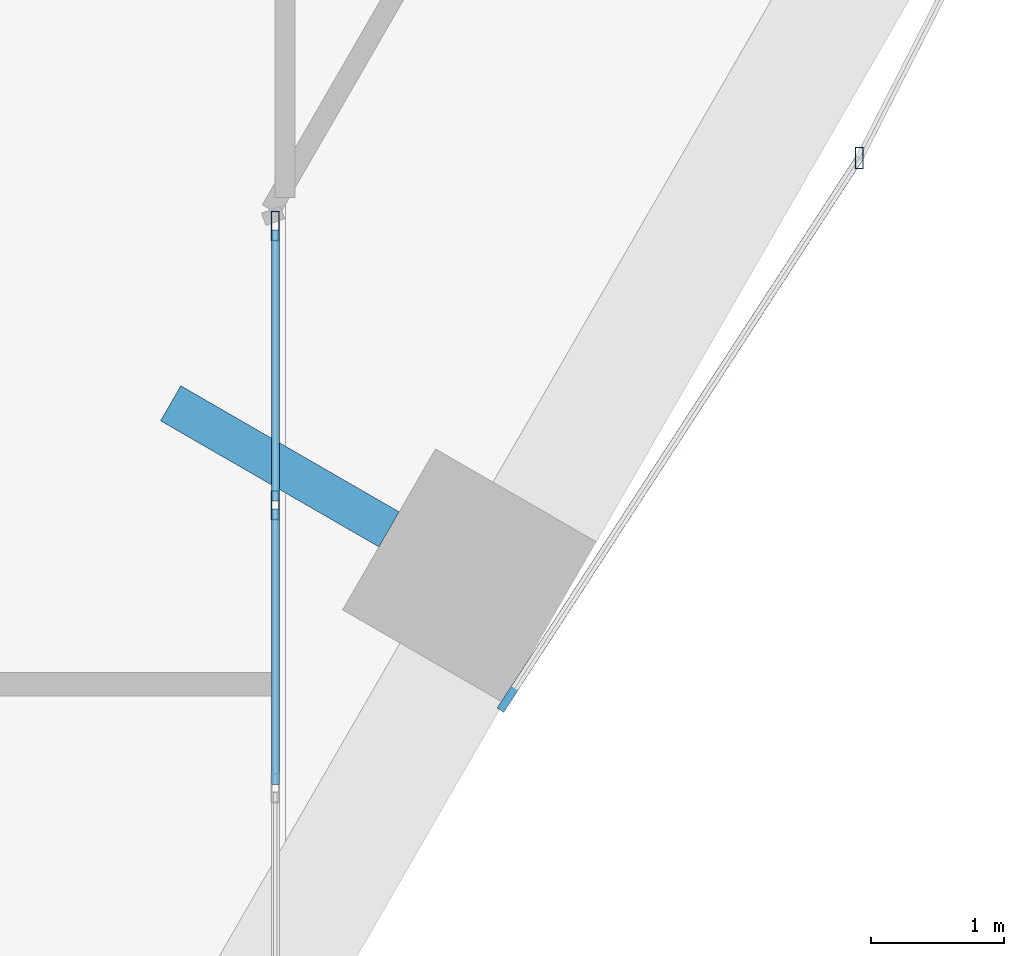
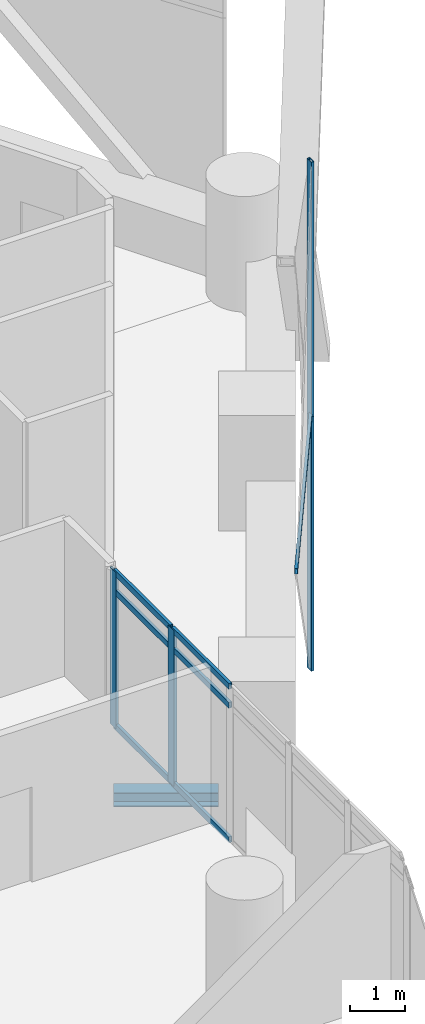
# One storey, part 11 of 35: 11 members, 1 beam, 3 elements without a shape of their own.
"""IFC4 building model written with IfcOpenShell, lengths in metres."""

from ifc_helpers import new_model, si_unit, direction, frame, origin, origin_2d, place, context, subcontext, project, spatial, hollow_rectangle, i_section, extrude, material, material_profile, profile_set, type_object, element, aggregate, save


model = new_model("IFC4")

# Units and contexts
model_context = context("Model", 3, precision=1e-05, world=origin(), true_north=direction((0.0, 1.0)))
body_context = subcontext(model_context, "Body", "Model", "MODEL_VIEW")
ifc_project = project(units=[si_unit("LENGTHUNIT", "METRE"), si_unit("AREAUNIT", "SQUARE_METRE"), si_unit("VOLUMEUNIT", "CUBIC_METRE"), si_unit("PLANEANGLEUNIT", "RADIAN"), si_unit("MASSUNIT", "GRAM", prefix="KILO")], contexts=[model_context])

# Site, building, storey
site_placement = place(None, origin())
site = spatial("IfcSite", under=ifc_project, at=site_placement, CompositionType="ELEMENT")
building_placement = place(site_placement, origin())
building = spatial("IfcBuilding", under=site, at=building_placement, Name="Ostrander Bayou Hotel Tower", CompositionType="ELEMENT")
storey_placement = place(building_placement, frame((0.0, 0.0, 69.25)))
storey = spatial("IfcBuildingStorey", under=building, at=storey_placement, Name="L17", CompositionType="ELEMENT", Elevation=69.25)

# Curtain wall, members
ifc_material_1 = material(Name="Aluminium and clear glass", Category="aluminium")
curtain_wall_type_1 = type_object("IfcCurtainWallType", Name="CW-BAR glazed wall", PredefinedType="NOTDEFINED", material=ifc_material_1)
curtain_wall_1_placement = place(storey_placement, origin())
curtain_wall_1 = element("IfcCurtainWall", 1, at=curtain_wall_1_placement, inside=storey, type_object=curtain_wall_type_1, Name="CW-BAR L17:SB1S:W", PredefinedType="NOTDEFINED")
ifc_material_2 = material(Name="Aluminium", Category="aluminium")
ifc_material_profile_1 = material_profile(ifc_material_2, hollow_rectangle(XDim=0.06005859375, YDim=0.219970703125, WallThickness=0.00390625, at=origin_2d()))
ifc_profile_set_1 = profile_set([ifc_material_profile_1], Name="Aluminium")
member_type_1 = type_object("IfcMemberType", Name="CW-BR mullion 60 x 220 mm", PredefinedType="MULLION", material=ifc_profile_set_1)
member_1_placement = place(storey_placement, frame((14.712158203125, -11.547607421875, 0.0), z_axis=(0.0, 0.0, 1.0), x_axis=(1.0, 0.0, 0.0)))
member_1 = element("IfcMember", 2, at=member_1_placement, type_object=member_type_1, Name="CW-BAR mullion 1", PredefinedType="MULLION", context=body_context, shape_type="SweptSolid", body=[
    extrude(hollow_rectangle(XDim=0.06005859375, YDim=0.219970703125, WallThickness=0.00390625, at=origin_2d()), origin(), (0.0, 0.0, 1.0), 3.449951171875),
])
member_2_placement = place(storey_placement, frame((14.712158203125, -13.650634765625, 0.0), z_axis=(0.0, 0.0, 1.0), x_axis=(1.0, 0.0, 0.0)))
member_2 = element("IfcMember", 3, at=member_2_placement, type_object=member_type_1, Name="CW-BAR mullion 2", PredefinedType="MULLION", context=body_context, shape_type="SweptSolid", body=[
    extrude(hollow_rectangle(XDim=0.06005859375, YDim=0.219970703125, WallThickness=0.00390625, at=origin_2d()), origin(), (0.0, 0.0, 1.0), 3.449951171875),
])
ifc_material_3 = material(Name="Aluminium", Category="aluminium")
ifc_material_profile_2 = material_profile(ifc_material_3, hollow_rectangle(XDim=0.06005859375, YDim=0.1298828125, WallThickness=0.00390625, at=origin_2d()))
ifc_profile_set_2 = profile_set([ifc_material_profile_2], Name="Aluminium")
member_type_2 = type_object("IfcMemberType", Name="CW-BR transom 60 x 130 mm", PredefinedType="USERDEFINED", material=ifc_profile_set_2)
member_3_placement = place(storey_placement, frame((14.712158203125, -11.57763671875, 0.030029296875), z_axis=(0.0, -1.0, 0.0), x_axis=(1.0, 0.0, 0.0)))
member_3 = element("IfcMember", 4, at=member_3_placement, type_object=member_type_2, Name="CW-BAR transom 1.1", ObjectType="TRANSOM", PredefinedType="USERDEFINED", context=body_context, shape_type="SweptSolid", body=[
    extrude(hollow_rectangle(XDim=0.06005859375, YDim=0.1298828125, WallThickness=0.00390625, at=origin_2d()), origin(), (0.0, 0.0, 1.0), 2.043212890625),
])
member_4_placement = place(storey_placement, frame((14.712158203125, -11.57763671875, 3.0), z_axis=(0.0, -1.0, 0.0), x_axis=(1.0, 0.0, 0.0)))
member_4 = element("IfcMember", 5, at=member_4_placement, type_object=member_type_2, Name="CW-BAR transom 1.2", ObjectType="TRANSOM", PredefinedType="USERDEFINED", context=body_context, shape_type="SweptSolid", body=[
    extrude(hollow_rectangle(XDim=0.06005859375, YDim=0.1298828125, WallThickness=0.00390625, at=origin_2d()), origin(), (0.0, 0.0, 1.0), 2.043212890625),
])
member_5_placement = place(storey_placement, frame((14.712158203125, -11.57763671875, 3.419921875), z_axis=(0.0, -1.0, 0.0), x_axis=(1.0, 0.0, 0.0)))
member_5 = element("IfcMember", 6, at=member_5_placement, type_object=member_type_2, Name="CW-BAR transom 1.3", ObjectType="TRANSOM", PredefinedType="USERDEFINED", context=body_context, shape_type="SweptSolid", body=[
    extrude(hollow_rectangle(XDim=0.06005859375, YDim=0.1298828125, WallThickness=0.00390625, at=origin_2d()), origin(), (0.0, 0.0, 1.0), 2.043212890625),
])
member_6_placement = place(storey_placement, frame((14.712158203125, -13.6806640625, 0.030029296875), z_axis=(0.0, -1.0, 0.0), x_axis=(1.0, 0.0, 0.0)))
member_6 = element("IfcMember", 7, at=member_6_placement, type_object=member_type_2, Name="CW-BAR transom 2.1", ObjectType="TRANSOM", PredefinedType="USERDEFINED", context=body_context, shape_type="SweptSolid", body=[
    extrude(hollow_rectangle(XDim=0.06005859375, YDim=0.1298828125, WallThickness=0.00390625, at=origin_2d()), origin(), (0.0, 0.0, 1.0), 2.072998046875),
])
member_7_placement = place(storey_placement, frame((14.712158203125, -13.6806640625, 3.0), z_axis=(0.0, -1.0, 0.0), x_axis=(1.0, 0.0, 0.0)))
member_7 = element("IfcMember", 8, at=member_7_placement, type_object=member_type_2, Name="CW-BAR transom 2.2", ObjectType="TRANSOM", PredefinedType="USERDEFINED", context=body_context, shape_type="SweptSolid", body=[
    extrude(hollow_rectangle(XDim=0.06005859375, YDim=0.1298828125, WallThickness=0.00390625, at=origin_2d()), origin(), (0.0, 0.0, 1.0), 2.072998046875),
])
member_8_placement = place(storey_placement, frame((14.712158203125, -13.6806640625, 3.419921875), z_axis=(0.0, -1.0, 0.0), x_axis=(1.0, 0.0, 0.0)))
member_8 = element("IfcMember", 9, at=member_8_placement, type_object=member_type_2, Name="CW-BAR transom 2.3", ObjectType="TRANSOM", PredefinedType="USERDEFINED", context=body_context, shape_type="SweptSolid", body=[
    extrude(hollow_rectangle(XDim=0.06005859375, YDim=0.1298828125, WallThickness=0.00390625, at=origin_2d()), origin(), (0.0, 0.0, 1.0), 2.072998046875),
])
aggregate(curtain_wall_1, [member_1, member_2, member_3, member_4, member_5, member_6, member_7, member_8])

ifc_material_4 = material(Name="Aluminium and clear glass", Category="aluminium")
curtain_wall_type_2 = type_object("IfcCurtainWallType", Name="CW-LAT lattice glazing", PredefinedType="NOTDEFINED", material=ifc_material_4)
curtain_wall_2_placement = place(storey_placement, origin())
curtain_wall_2 = element("IfcCurtainWall", 10, at=curtain_wall_2_placement, inside=storey, type_object=curtain_wall_type_2, Name="CW-LAT L17 SE 1", PredefinedType="NOTDEFINED")
ifc_material_5 = material(Name="Aluminium", Category="aluminium")
ifc_material_profile_3 = material_profile(ifc_material_5, hollow_rectangle(XDim=0.06005859375, YDim=0.159912109375, WallThickness=0.00390625, at=origin_2d()))
ifc_profile_set_3 = profile_set([ifc_material_profile_3], Name="Aluminium")
member_type_3 = type_object("IfcMemberType", Name="CW-LA mullion 60 x 160 mm", PredefinedType="MULLION", material=ifc_profile_set_3)
member_9_placement = place(storey_placement, frame((19.11328125, -11.034912109375, -0.60009765625), z_axis=(0.0, 0.0, 1.0), x_axis=(1.0, 0.0, 0.0)))
member_9 = element("IfcMember", 11, at=member_9_placement, type_object=member_type_3, Name="CW-LAT mullion 1", PredefinedType="MULLION", context=body_context, shape_type="SweptSolid", body=[
    extrude(hollow_rectangle(XDim=0.06005859375, YDim=0.159912109375, WallThickness=0.00390625, at=origin_2d()), origin(), (0.0, 0.0, 1.0), 5.625),
])
member_10_placement = place(storey_placement, frame((19.11328125, -11.034912109375, 5.02490234375), z_axis=(0.0, 0.0, 1.0), x_axis=(1.0, 0.0, 0.0)))
member_10 = element("IfcMember", 12, at=member_10_placement, type_object=member_type_3, Name="CW-LAT mullion 2", PredefinedType="MULLION", context=body_context, shape_type="SweptSolid", body=[
    extrude(hollow_rectangle(XDim=0.06005859375, YDim=0.159912109375, WallThickness=0.00390625, at=origin_2d()), origin(), (0.0, 0.0, 1.0), 5.625),
])
aggregate(curtain_wall_2, [member_9, member_10])

# Curtain wall, member
curtain_wall_3_placement = place(storey_placement, origin())
curtain_wall_3 = element("IfcCurtainWall", 13, at=curtain_wall_3_placement, inside=storey, type_object=curtain_wall_type_2, Name="CW-LAT L17 SE 2", PredefinedType="NOTDEFINED")
ifc_material_6 = material(Name="Aluminium", Category="aluminium")
ifc_material_profile_4 = material_profile(ifc_material_6, hollow_rectangle(XDim=0.06005859375, YDim=0.1201171875, WallThickness=0.00390625, at=origin_2d()))
ifc_profile_set_4 = profile_set([ifc_material_profile_4], Name="Aluminium")
member_type_4 = type_object("IfcMemberType", Name="CW-LA transom 60 x 120 mm", PredefinedType="USERDEFINED", material=ifc_profile_set_4)
member_11_placement = place(storey_placement, frame((19.11328125, -11.034912109375, 5.02490234375), z_axis=(-0.545081722804, -0.838382916969, 0.0), x_axis=(0.838382916969, -0.545081722804, 0.0)))
member_11 = element("IfcMember", 14, at=member_11_placement, type_object=member_type_4, Name="CW-LAT transom 3", ObjectType="TRANSOM", PredefinedType="USERDEFINED", context=body_context, shape_type="SweptSolid", body=[
    extrude(hollow_rectangle(XDim=0.06005859375, YDim=0.1201171875, WallThickness=0.00390625, at=origin_2d()), origin(), (0.0, 0.0, 1.0), 4.962646484375),
])
aggregate(curtain_wall_3, [member_11])

# Beam
ifc_material_7 = material(Name="Steel ASTM A992", Category="steel")
ifc_material_profile_5 = material_profile(ifc_material_7, i_section(OverallWidth=0.3046875, OverallDepth=0.307861328125, WebThickness=0.010009765625, FlangeThickness=0.015380859375, at=origin_2d()))
ifc_profile_set_5 = profile_set([ifc_material_profile_5], Name="Steel ASTM A992")
beam_type = type_object("IfcBeamType", Name="LB1 loggia bracket W12x65", PredefinedType="BEAM", material=ifc_profile_set_5)
beam_placement = place(storey_placement, frame((15.569091796875, -13.833251953125, -0.453857421875), z_axis=(-0.86601224135, 0.500022797313, 0.0), x_axis=(-0.500022797313, -0.86601224135, 0.0)))
element("IfcBeam", 15, at=beam_placement, inside=storey, type_object=beam_type, Name="LB1 L17 SE1", PredefinedType="BEAM", context=body_context, shape_type="SweptSolid", body=[
    extrude(i_section(OverallWidth=0.3046875, OverallDepth=0.307861328125, WebThickness=0.010009765625, FlangeThickness=0.015380859375, at=origin_2d()), origin(), (0.0, 0.0, 1.0), 1.89990234375),
])

save(model, "model.ifc")
